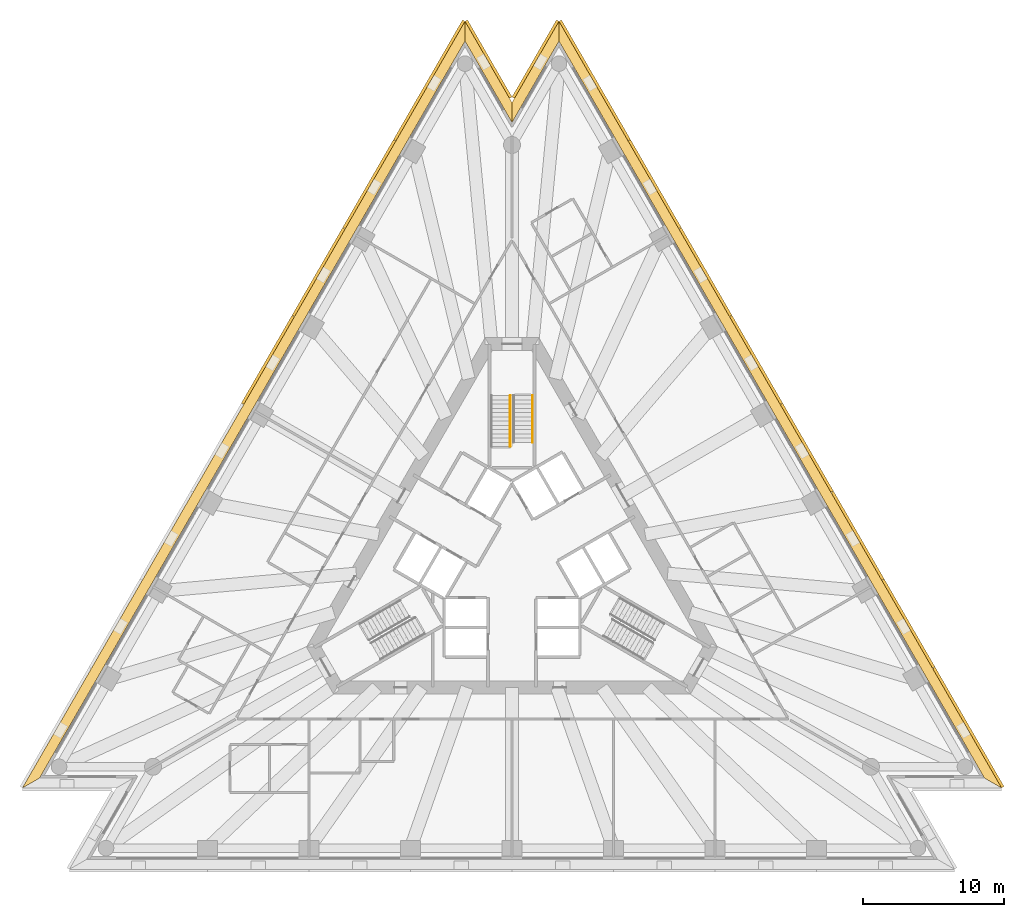
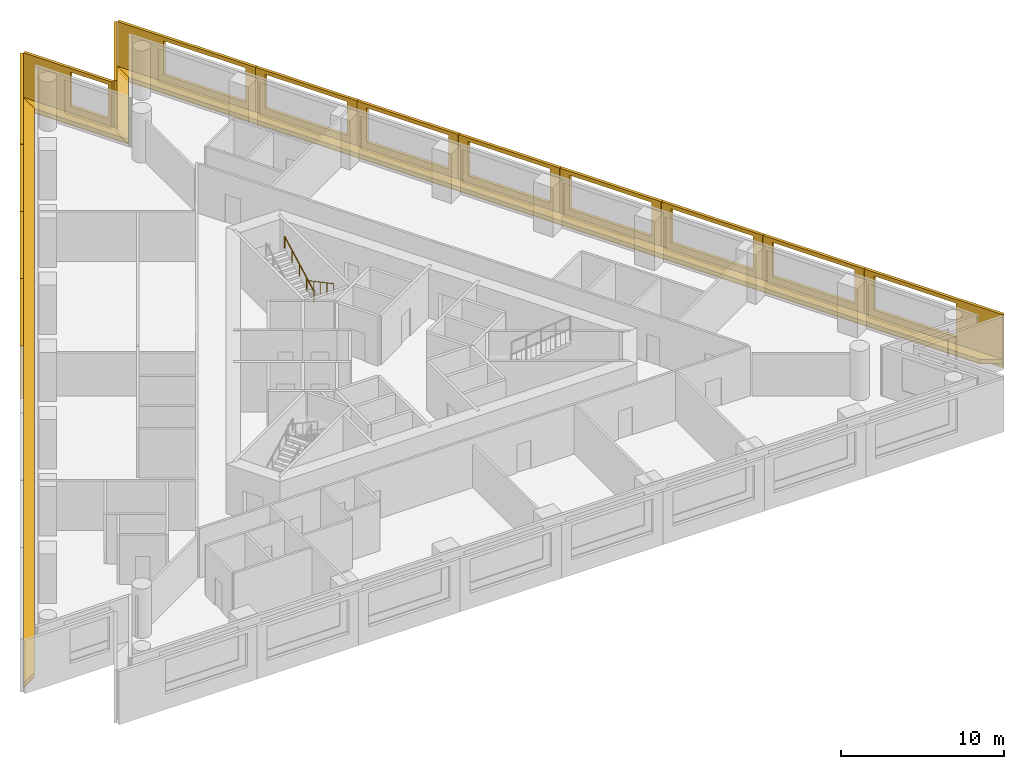
# One storey, part 11 of 11: 18 shading devices, 4 coverings, 2 railings, 1 element without a shape of its own.
"""IFC4 building model written with IfcOpenShell, lengths in metres."""

import ifcopenshell
import ifcopenshell.guid

model = None  # the IFC model being written
_history = None  # IfcOwnerHistory: only IFC2X3 demands one
_inside = {}  # id of a spatial element -> (the spatial element, [elements in it])
_under = {}  # id of a project, library or spatial element -> (it, [spatial elements below it])
_declared = {}  # id of a project -> (the project, [libraries it declares])
_typed = {}  # id of a type object -> (the type object, [elements of that type])
_made_of = {}  # id of a material, layer set ... -> (it, [elements and type objects made of it])


def new_model(schema):
    """Start an empty IFC model of exactly this schema.

    Asked for "IFC4X3", IfcOpenShell would pick the latest addendum, in which some entities
    have other attributes; the version numbers below select the first issue.
    IFC2X3 requires an IfcOwnerHistory on every rooted entity: one is made here for all.
    """
    global model, _history
    if schema == "IFC4X3":
        model = ifcopenshell.file(schema_version=(4, 3, 0, 0))
    else:
        model = ifcopenshell.file(schema=schema)
    _inside.clear()
    _under.clear()
    _declared.clear()
    _typed.clear()
    _made_of.clear()
    _history = None
    if model.schema == "IFC2X3":
        org = make("IfcOrganization", Name="unknown")
        user = make(
            "IfcPersonAndOrganization",
            ThePerson=make("IfcPerson", FamilyName="unknown"),
            TheOrganization=org,
        )
        app = make(
            "IfcApplication",
            ApplicationDeveloper=org,
            Version="unknown",
            ApplicationFullName="unknown",
            ApplicationIdentifier="unknown",
        )
        _history = make(
            "IfcOwnerHistory",
            OwningUser=user,
            OwningApplication=app,
            ChangeAction="ADDED",
            CreationDate=0,
        )
    return model


def make(cls, **values):
    """One entity of the class cls with the attributes given. An attribute that is None is left unset."""
    return model.create_entity(
        cls, **{name: value for name, value in values.items() if value is not None}
    )


def rooted(cls, **values):
    """An entity with a GlobalId (a new one), such as an element, a storey or a relation."""
    return make(cls, GlobalId=ifcopenshell.guid.new(), OwnerHistory=_history, **values)


def si_unit(unit_type, name, prefix=None):
    """IfcSIUnit, for example si_unit("LENGTHUNIT", "METRE", prefix="MILLI")."""
    return make("IfcSIUnit", UnitType=unit_type, Prefix=prefix, Name=name)


def assignment(units):
    """IfcUnitAssignment: the units of a project."""
    return None if units is None else make("IfcUnitAssignment", Units=units)


def point(xyz):
    """IfcCartesianPoint."""
    return None if xyz is None else make("IfcCartesianPoint", Coordinates=xyz)


def direction(xyz):
    """IfcDirection."""
    return None if xyz is None else make("IfcDirection", DirectionRatios=xyz)


def frame(location, z_axis=None, x_axis=None):
    """IfcAxis2Placement3D, a coordinate frame: its origin and axes. An axis left out is left unset."""
    return make(
        "IfcAxis2Placement3D",
        Location=point(location),
        Axis=direction(z_axis),
        RefDirection=direction(x_axis),
    )


def frame_2d(location, x_axis=None):
    """IfcAxis2Placement2D, a coordinate frame in the plane: its origin and x axis."""
    return make(
        "IfcAxis2Placement2D", Location=point(location), RefDirection=direction(x_axis)
    )


def origin():
    """The frame at (0, 0, 0) with its axes left unset."""
    return frame((0.0, 0.0, 0.0))


def origin_2d():
    """The frame at (0, 0) in the plane with its x axis left unset."""
    return frame_2d((0.0, 0.0))


def place(relative_to, where):
    """IfcLocalPlacement: puts the frame where relative to a parent placement (None: the world)."""
    return make(
        "IfcLocalPlacement", PlacementRelTo=relative_to, RelativePlacement=where
    )


def context(
    kind, dimensions, precision=None, world=None, true_north=None, identifier=None
):
    """IfcGeometricRepresentationContext, for example the 3D "Model" context."""
    return make(
        "IfcGeometricRepresentationContext",
        ContextIdentifier=identifier,
        ContextType=kind,
        CoordinateSpaceDimension=dimensions,
        Precision=precision,
        WorldCoordinateSystem=world,
        TrueNorth=true_north,
    )


def subcontext(parent, identifier, kind, view, scale=None):
    """IfcGeometricRepresentationSubContext, for example "Body" below "Model"."""
    return make(
        "IfcGeometricRepresentationSubContext",
        ContextIdentifier=identifier,
        ContextType=kind,
        ParentContext=parent,
        TargetScale=scale,
        TargetView=view,
    )


def project(units=None, contexts=None):
    """IfcProject with its units and contexts."""
    return rooted(
        "IfcProject",
        Name="project",
        RepresentationContexts=contexts,
        UnitsInContext=assignment(units),
    )


def spatial(cls, under=None, at=None, **own):
    """A site, building, storey or space (cls), placed at a placement, below another one or the project."""
    s = rooted(cls, ObjectPlacement=at, **own)
    if under is not None:
        _under.setdefault(under.id(), (under, []))[1].append(s)
    return s


def polyline(points):
    """IfcPolyline through the points."""
    return make("IfcPolyline", Points=[point(p) for p in points])


def profile(cls, at=None, kind="AREA", **sizes):
    """A parametric profile (cls). Its sizes go by their IFC names, for example OverallWidth=200.0."""
    return make(cls, ProfileType=kind, Position=at, **sizes)


def circle(**sizes):
    """IfcCircleProfileDef."""
    return profile("IfcCircleProfileDef", **sizes)


def outline(outer, holes=None, kind="AREA"):
    """IfcArbitraryClosedProfileDef: a profile drawn as a closed curve; with holes, ...WithVoids."""
    if holes is None:
        return make("IfcArbitraryClosedProfileDef", ProfileType=kind, OuterCurve=outer)
    return make(
        "IfcArbitraryProfileDefWithVoids",
        ProfileType=kind,
        OuterCurve=outer,
        InnerCurves=holes,
    )


def extrude(swept, where, along, depth):
    """IfcExtrudedAreaSolid: the profile swept, set in the frame where, extruded along a direction by depth."""
    return make(
        "IfcExtrudedAreaSolid",
        SweptArea=swept,
        Position=where,
        ExtrudedDirection=direction(along),
        Depth=depth,
    )


def shape(context_of_items, identifier, shape_type, items):
    """IfcShapeRepresentation: the items that make up one representation, for example the "Body"."""
    return make(
        "IfcShapeRepresentation",
        ContextOfItems=context_of_items,
        RepresentationIdentifier=identifier,
        RepresentationType=shape_type,
        Items=items,
    )


def material(Name=None, Category=None):
    """IfcMaterial."""
    return make("IfcMaterial", Name=Name, Category=Category)


def layer(
    of_material, thickness, ventilated=None, Name=None, Category=None, Priority=None
):
    """IfcMaterialLayer: one layer of a wall or slab, of a material (None: an air gap)."""
    return make(
        "IfcMaterialLayer",
        Material=of_material,
        LayerThickness=thickness,
        IsVentilated=ventilated,
        Name=Name,
        Category=Category,
        Priority=Priority,
    )


def layer_set(layers, Name=None):
    """IfcMaterialLayerSet."""
    return make("IfcMaterialLayerSet", MaterialLayers=layers, LayerSetName=Name)


def layer_usage(for_layer_set, set_direction, sense, offset, extent=None):
    """IfcMaterialLayerSetUsage: how a layer set lies in its element."""
    return make(
        "IfcMaterialLayerSetUsage",
        ForLayerSet=for_layer_set,
        LayerSetDirection=set_direction,
        DirectionSense=sense,
        OffsetFromReferenceLine=offset,
        ReferenceExtent=extent,
    )


def made_of(thing, what):
    """Note that an element or type object is made of a material, layer set ...; save() writes the relation."""
    if what is not None:
        _made_of.setdefault(what.id(), (what, []))[1].append(thing)
    return thing


def type_object(cls, material=None, **own):
    """A type object (cls), such as IfcWallType, which elements share."""
    return made_of(rooted(cls, **own), material)


def element(
    cls,
    number,
    at=None,
    inside=None,
    cuts=None,
    type_object=None,
    material=None,
    context=None,
    identifier="Body",
    shape_type=None,
    held_by="IfcProductDefinitionShape",
    body=None,
    shapes=None,
    **own,
):
    """One element of the class cls, such as IfcWall. Its Tag is "e" and its number.

    at: its placement. inside: the storey or other place that contains it. cuts: it is an
    opening in that element (IfcRelVoidsElement). A single representation is given by context,
    identifier, shape_type and body (its items); several are given by shapes. held_by: the class
    of the entity that holds the representations. save() writes the other relations.
    """
    e = rooted(cls, Tag="e%d" % number, ObjectPlacement=at, **own)
    if body is not None:
        shapes = [shape(context, identifier, shape_type, body)]
    if shapes is not None:
        e.Representation = make(held_by, Representations=shapes)
    if inside is not None:
        _inside.setdefault(inside.id(), (inside, []))[1].append(e)
    if cuts is not None:
        rooted(
            "IfcRelVoidsElement", RelatingBuildingElement=cuts, RelatedOpeningElement=e
        )
    if type_object is not None:
        _typed.setdefault(type_object.id(), (type_object, []))[1].append(e)
    return made_of(e, material)


def aggregate(whole, parts):
    """IfcRelAggregates: a whole, such as a stair, and the parts it consists of."""
    return rooted("IfcRelAggregates", RelatingObject=whole, RelatedObjects=parts)


def save(model, path):
    """Write the relations noted so far, then the file.

    IfcRelAggregates (storeys below a building ...), IfcRelContainedInSpatialStructure (elements
    in a storey), IfcRelDefinesByType, IfcRelAssociatesMaterial and IfcRelDeclares: one each for
    every whole, place, type object, material and project.
    """
    for whole, parts in _under.values():
        aggregate(whole, parts)
    for where, things in _inside.values():
        rooted(
            "IfcRelContainedInSpatialStructure",
            RelatedElements=things,
            RelatingStructure=where,
        )
    for kind, things in _typed.values():
        rooted("IfcRelDefinesByType", RelatedObjects=things, RelatingType=kind)
    for what, things in _made_of.values():
        rooted("IfcRelAssociatesMaterial", RelatedObjects=things, RelatingMaterial=what)
    for by, libraries in _declared.values():
        rooted("IfcRelDeclares", RelatingContext=by, RelatedDefinitions=libraries)
    model.write(path)


model = new_model("IFC4")

# Units and contexts
model_context = context("Model", 3, precision=1e-05, world=origin(), true_north=direction((0.0, 1.0)))
body_context = subcontext(model_context, "Body", "Model", "MODEL_VIEW")
ifc_project = project(units=[si_unit("LENGTHUNIT", "METRE"), si_unit("AREAUNIT", "SQUARE_METRE"), si_unit("VOLUMEUNIT", "CUBIC_METRE"), si_unit("PLANEANGLEUNIT", "RADIAN"), si_unit("MASSUNIT", "GRAM", prefix="KILO")], contexts=[model_context])

# Site, building, storey
site_placement = place(None, origin())
site = spatial("IfcSite", under=ifc_project, at=site_placement, CompositionType="ELEMENT")
building_placement = place(site_placement, origin())
building = spatial("IfcBuilding", under=site, at=building_placement, Name="Triada Interchange Tower", CompositionType="ELEMENT")
storey_placement = place(building_placement, frame((0.0, 0.0, 91.300048828125)))
storey = spatial("IfcBuildingStorey", under=building, at=storey_placement, Name="L20", CompositionType="ELEMENT", Elevation=91.300048828125)

# Coverings
ifc_material_1 = material(Name="Mineral fire-stop board")
ifc_layer_1 = layer(ifc_material_1, 0.0400390625, Name="Mineral fire-stop board")
ifc_material_2 = material(Name="Intumescent sealant")
ifc_layer_2 = layer(ifc_material_2, 0.010009765625, Name="Intumescent seal")
ifc_layer_set_1 = layer_set([ifc_layer_1, ifc_layer_2], Name="Cavity fire stop")
ifc_layer_usage = layer_usage(ifc_layer_set_1, "AXIS3", "POSITIVE", 0.0)
covering_type = type_object("IfcCoveringType", Name="Cavity fire stop", PredefinedType="INSULATION", material=ifc_layer_set_1)
covering_1_placement = place(storey_placement, origin())
element("IfcCovering", 1, at=covering_1_placement, inside=storey, type_object=covering_type, material=ifc_layer_usage, Name="Cavity fire stop L20 NW", PredefinedType="INSULATION", context=body_context, shape_type="SweptSolid", body=[
    extrude(outline(polyline([(-3.324951171875, 36.698974609375), (-3.324951171875, 38.09912109375), (-34.656982421875, -16.169921875), (-33.445068359375, -15.469970703125), (-3.324951171875, 36.698974609375)])), origin(), (0.0, 0.0, 1.0), 0.050048828125),
])
covering_2_placement = place(storey_placement, origin())
element("IfcCovering", 2, at=covering_2_placement, inside=storey, type_object=covering_type, material=ifc_layer_usage, Name="Cavity fire stop L20 NE", PredefinedType="INSULATION", context=body_context, shape_type="SweptSolid", body=[
    extrude(outline(polyline([(33.445068359375, -15.469970703125), (34.656982421875, -16.169921875), (3.324951171875, 38.09912109375), (3.324951171875, 36.698974609375), (33.445068359375, -15.469970703125)])), origin(), (0.0, 0.0, 1.0), 0.050048828125),
])
covering_3_placement = place(storey_placement, origin())
element("IfcCovering", 3, at=covering_3_placement, inside=storey, type_object=covering_type, material=ifc_layer_usage, Name="Cavity fire stop L20 N-1", PredefinedType="INSULATION", context=body_context, shape_type="SweptSolid", body=[
    extrude(outline(polyline([(3.324951171875, 36.698974609375), (3.324951171875, 38.09912109375), (0.0, 32.340087890625), (0.0, 30.93994140625), (3.324951171875, 36.698974609375)])), origin(), (0.0, 0.0, 1.0), 0.050048828125),
])
covering_4_placement = place(storey_placement, origin())
element("IfcCovering", 4, at=covering_4_placement, inside=storey, type_object=covering_type, material=ifc_layer_usage, Name="Cavity fire stop L20 N-2", PredefinedType="INSULATION", context=body_context, shape_type="SweptSolid", body=[
    extrude(outline(polyline([(0.0, 30.93994140625), (0.0, 32.340087890625), (-3.324951171875, 38.09912109375), (-3.324951171875, 36.698974609375), (0.0, 30.93994140625)])), origin(), (0.0, 0.0, 1.0), 0.050048828125),
])

# Shading devices
ifc_material_3 = material(Name="Aluminium louvre", Category="aluminium")
shading_device_type_1 = type_object("IfcShadingDeviceType", Name="Cavity louvre grille", PredefinedType="JALOUSIE", material=ifc_material_3)
shading_device_1_placement = place(storey_placement, frame((0.0, 0.0, 0.050048828125)))
element("IfcShadingDevice", 5, at=shading_device_1_placement, inside=storey, type_object=shading_device_type_1, Name="Cavity louvre grille L20 NW", PredefinedType="JALOUSIE", context=body_context, shape_type="SweptSolid", body=[
    extrude(outline(polyline([(-3.324951171875, 36.698974609375), (-3.324951171875, 38.09912109375), (-34.656982421875, -16.169921875), (-33.445068359375, -15.469970703125), (-3.324951171875, 36.698974609375)])), origin(), (0.0, 0.0, 1.0), 0.2998046875),
])
shading_device_2_placement = place(storey_placement, frame((0.0, 0.0, 0.050048828125)))
element("IfcShadingDevice", 6, at=shading_device_2_placement, inside=storey, type_object=shading_device_type_1, Name="Cavity louvre grille L20 NE", PredefinedType="JALOUSIE", context=body_context, shape_type="SweptSolid", body=[
    extrude(outline(polyline([(33.445068359375, -15.469970703125), (34.656982421875, -16.169921875), (3.324951171875, 38.09912109375), (3.324951171875, 36.698974609375), (33.445068359375, -15.469970703125)])), origin(), (0.0, 0.0, 1.0), 0.2998046875),
])
shading_device_3_placement = place(storey_placement, frame((0.0, 0.0, 0.050048828125)))
element("IfcShadingDevice", 7, at=shading_device_3_placement, inside=storey, type_object=shading_device_type_1, Name="Cavity louvre grille L20 N-1", PredefinedType="JALOUSIE", context=body_context, shape_type="SweptSolid", body=[
    extrude(outline(polyline([(3.324951171875, 36.698974609375), (3.324951171875, 38.09912109375), (0.0, 32.340087890625), (0.0, 30.93994140625), (3.324951171875, 36.698974609375)])), origin(), (0.0, 0.0, 1.0), 0.2998046875),
])
shading_device_4_placement = place(storey_placement, frame((0.0, 0.0, 0.050048828125)))
element("IfcShadingDevice", 8, at=shading_device_4_placement, inside=storey, type_object=shading_device_type_1, Name="Cavity louvre grille L20 N-2", PredefinedType="JALOUSIE", context=body_context, shape_type="SweptSolid", body=[
    extrude(outline(polyline([(0.0, 30.93994140625), (0.0, 32.340087890625), (-3.324951171875, 38.09912109375), (-3.324951171875, 36.698974609375), (0.0, 30.93994140625)])), origin(), (0.0, 0.0, 1.0), 0.2998046875),
])
ifc_material_4 = material(Name="Concrete C50/60 precast", Category="concrete")
ifc_layer_3 = layer(ifc_material_4, 0.02001953125, Name="Exposed aggregate face")
ifc_layer_4 = layer(ifc_material_4, 0.179931640625, Name="Precast concrete screen")
ifc_layer_set_2 = layer_set([ifc_layer_3, ifc_layer_4], Name="Outer skin screen panel 3980")
shading_device_type_2 = type_object("IfcShadingDeviceType", Name="Outer skin screen panel 3980", PredefinedType="SHUTTER", material=ifc_layer_set_2)
shading_device_5_placement = place(storey_placement, frame((-3.330078125, 38.090087890625, -0.2900390625), z_axis=(0.0, 0.0, 1.0), x_axis=(-0.500034220881, -0.866005645448, 0.0)))
element("IfcShadingDevice", 9, at=shading_device_5_placement, inside=storey, type_object=shading_device_type_2, Name="Outer skin screen panel L20 01", PredefinedType="SHUTTER", context=body_context, shape_type="SweptSolid", body=[
    extrude(outline(polyline([(0.0, 0.0), (9.760986328125, 0.0), (9.760986328125, 3.97998046875), (0.0, 3.97998046875), (0.0, 0.0)]), holes=[polyline([(3.279541015625, 1.139892578125), (3.279541015625, 3.68994140625), (9.07958984375, 3.68994140625), (9.07958984375, 1.139892578125), (3.279541015625, 1.139892578125)])]), frame((0.0, 0.0, 0.0), z_axis=(0.0, -1.0, 0.0), x_axis=(1.0, 0.0, 0.0)), (0.0, 0.0, 1.0), 0.199951171875),
])
shading_device_6_placement = place(storey_placement, frame((-8.220947265625, 29.618896484375, -0.2900390625), z_axis=(0.0, 0.0, 1.0), x_axis=(-0.500024340962, -0.866011350067, 0.0)))
element("IfcShadingDevice", 10, at=shading_device_6_placement, inside=storey, type_object=shading_device_type_2, Name="Outer skin screen panel L20 02", PredefinedType="SHUTTER", context=body_context, shape_type="SweptSolid", body=[
    extrude(outline(polyline([(0.0, 0.0), (7.163818359375, 0.0), (7.163818359375, 3.97998046875), (0.0, 3.97998046875), (0.0, 0.0)]), holes=[polyline([(0.681884765625, 1.139892578125), (0.681884765625, 3.68994140625), (6.48193359375, 3.68994140625), (6.48193359375, 1.139892578125), (0.681884765625, 1.139892578125)])]), frame((0.0, 0.0, 0.0), z_axis=(0.0, -1.0, 0.0), x_axis=(1.0, 0.0, 0.0)), (0.0, 0.0, 1.0), 0.199951171875),
])
shading_device_7_placement = place(storey_placement, frame((-11.81298828125, 23.39794921875, -0.2900390625), z_axis=(0.0, 0.0, 1.0), x_axis=(-0.499922093299, -0.866070378567, 0.0)))
element("IfcShadingDevice", 11, at=shading_device_7_placement, inside=storey, type_object=shading_device_type_2, Name="Outer skin screen panel L20 03", PredefinedType="SHUTTER", context=body_context, shape_type="SweptSolid", body=[
    extrude(outline(polyline([(0.0, 0.0), (7.163330078125, 0.0), (7.163330078125, 3.97998046875), (0.0, 3.97998046875), (0.0, 0.0)]), holes=[polyline([(0.681396484375, 1.139892578125), (0.681396484375, 3.68994140625), (6.4814453125, 3.68994140625), (6.4814453125, 1.139892578125), (0.681396484375, 1.139892578125)])]), frame((0.0, 0.0, 0.0), z_axis=(0.0, -1.0, 0.0), x_axis=(1.0, 0.0, 0.0)), (0.0, 0.0, 1.0), 0.199951171875),
])
shading_device_8_placement = place(storey_placement, frame((-15.404052734375, 17.177001953125, -0.2900390625), z_axis=(0.0, 0.0, 1.0), x_axis=(-0.500009583697, -0.866019870564, 0.0)))
element("IfcShadingDevice", 12, at=shading_device_8_placement, inside=storey, type_object=shading_device_type_2, Name="Outer skin screen panel L20 04", PredefinedType="SHUTTER", context=body_context, shape_type="SweptSolid", body=[
    extrude(outline(polyline([(0.0, 0.0), (7.163818359375, 0.0), (7.163818359375, 3.97998046875), (0.0, 3.97998046875), (0.0, 0.0)]), holes=[polyline([(0.681884765625, 1.139892578125), (0.681884765625, 3.68994140625), (6.48193359375, 3.68994140625), (6.48193359375, 1.139892578125), (0.681884765625, 1.139892578125)])]), frame((0.0, 0.0, 0.0), z_axis=(0.0, -1.0, 0.0), x_axis=(1.0, 0.0, 0.0)), (0.0, 0.0, 1.0), 0.199951171875),
])
shading_device_9_placement = place(storey_placement, frame((34.652099609375, -16.160888671875, -0.2900390625), z_axis=(0.0, 0.0, 1.0), x_axis=(-0.500020487159, 0.866013575194, 0.0)))
element("IfcShadingDevice", 13, at=shading_device_9_placement, inside=storey, type_object=shading_device_type_2, Name="Outer skin screen panel L20 21", PredefinedType="SHUTTER", context=body_context, shape_type="SweptSolid", body=[
    extrude(outline(polyline([(0.0, 0.0), (9.76171875, 0.0), (9.76171875, 3.97998046875), (0.0, 3.97998046875), (0.0, 0.0)]), holes=[polyline([(3.279296875, 1.139892578125), (3.279296875, 3.68994140625), (9.079345703125, 3.68994140625), (9.079345703125, 1.139892578125), (3.279296875, 1.139892578125)])]), frame((0.0, 0.0, 0.0), z_axis=(0.0, -1.0, 0.0), x_axis=(1.0, 0.0, 0.0)), (0.0, 0.0, 1.0), 0.199951171875),
])
shading_device_10_placement = place(storey_placement, frame((29.760986328125, -7.68994140625, -0.2900390625), z_axis=(0.0, 0.0, 1.0), x_axis=(-0.499922093299, 0.866070378567, 0.0)))
element("IfcShadingDevice", 14, at=shading_device_10_placement, inside=storey, type_object=shading_device_type_2, Name="Outer skin screen panel L20 22", PredefinedType="SHUTTER", context=body_context, shape_type="SweptSolid", body=[
    extrude(outline(polyline([(0.0, 0.0), (7.163330078125, 0.0), (7.163330078125, 3.97998046875), (0.0, 3.97998046875), (0.0, 0.0)]), holes=[polyline([(0.681640625, 1.139892578125), (0.681640625, 3.68994140625), (6.481689453125, 3.68994140625), (6.481689453125, 1.139892578125), (0.681640625, 1.139892578125)])]), frame((0.0, 0.0, 0.0), z_axis=(0.0, -1.0, 0.0), x_axis=(1.0, 0.0, 0.0)), (0.0, 0.0, 1.0), 0.199951171875),
])
shading_device_11_placement = place(storey_placement, frame((26.169921875, -1.468994140625, -0.2900390625), z_axis=(0.0, 0.0, 1.0), x_axis=(-0.500009583697, 0.866019870564, 0.0)))
element("IfcShadingDevice", 15, at=shading_device_11_placement, inside=storey, type_object=shading_device_type_2, Name="Outer skin screen panel L20 23", PredefinedType="SHUTTER", context=body_context, shape_type="SweptSolid", body=[
    extrude(outline(polyline([(0.0, 0.0), (7.163818359375, 0.0), (7.163818359375, 3.97998046875), (0.0, 3.97998046875), (0.0, 0.0)]), holes=[polyline([(0.68212890625, 1.139892578125), (0.68212890625, 3.68994140625), (6.482177734375, 3.68994140625), (6.482177734375, 1.139892578125), (0.68212890625, 1.139892578125)])]), frame((0.0, 0.0, 0.0), z_axis=(0.0, -1.0, 0.0), x_axis=(1.0, 0.0, 0.0)), (0.0, 0.0, 1.0), 0.199951171875),
])
shading_device_12_placement = place(storey_placement, frame((22.577880859375, 4.751953125, -0.2900390625), z_axis=(0.0, 0.0, 1.0), x_axis=(-0.499984023993, 0.86603462734, 0.0)))
element("IfcShadingDevice", 16, at=shading_device_12_placement, inside=storey, type_object=shading_device_type_2, Name="Outer skin screen panel L20 24", PredefinedType="SHUTTER", context=body_context, shape_type="SweptSolid", body=[
    extrude(outline(polyline([(0.0, 0.0), (7.163818359375, 0.0), (7.163818359375, 3.97998046875), (0.0, 3.97998046875), (0.0, 0.0)]), holes=[polyline([(0.681640625, 1.139892578125), (0.681640625, 3.68994140625), (6.481689453125, 3.68994140625), (6.481689453125, 1.139892578125), (0.681640625, 1.139892578125)])]), frame((0.0, 0.0, 0.0), z_axis=(0.0, -1.0, 0.0), x_axis=(1.0, 0.0, 0.0)), (0.0, 0.0, 1.0), 0.199951171875),
])
shading_device_13_placement = place(storey_placement, frame((18.986083984375, 10.972900390625, -0.2900390625), z_axis=(0.0, 0.0, 1.0), x_axis=(-0.500009583697, 0.866019870564, 0.0)))
element("IfcShadingDevice", 17, at=shading_device_13_placement, inside=storey, type_object=shading_device_type_2, Name="Outer skin screen panel L20 25", PredefinedType="SHUTTER", context=body_context, shape_type="SweptSolid", body=[
    extrude(outline(polyline([(0.0, 0.0), (7.163818359375, 0.0), (7.163818359375, 3.97998046875), (0.0, 3.97998046875), (0.0, 0.0)]), holes=[polyline([(0.68212890625, 1.139892578125), (0.68212890625, 3.68994140625), (6.482177734375, 3.68994140625), (6.482177734375, 1.139892578125), (0.68212890625, 1.139892578125)])]), frame((0.0, 0.0, 0.0), z_axis=(0.0, -1.0, 0.0), x_axis=(1.0, 0.0, 0.0)), (0.0, 0.0, 1.0), 0.199951171875),
])
shading_device_14_placement = place(storey_placement, frame((15.39404296875, 17.194091796875, -0.2900390625), z_axis=(0.0, 0.0, 1.0), x_axis=(-0.499922093299, 0.866070378567, 0.0)))
element("IfcShadingDevice", 18, at=shading_device_14_placement, inside=storey, type_object=shading_device_type_2, Name="Outer skin screen panel L20 26", PredefinedType="SHUTTER", context=body_context, shape_type="SweptSolid", body=[
    extrude(outline(polyline([(0.0, 0.0), (7.163330078125, 0.0), (7.163330078125, 3.97998046875), (0.0, 3.97998046875), (0.0, 0.0)]), holes=[polyline([(0.681640625, 1.139892578125), (0.681640625, 3.68994140625), (6.481689453125, 3.68994140625), (6.481689453125, 1.139892578125), (0.681640625, 1.139892578125)])]), frame((0.0, 0.0, 0.0), z_axis=(0.0, -1.0, 0.0), x_axis=(1.0, 0.0, 0.0)), (0.0, 0.0, 1.0), 0.199951171875),
])
shading_device_15_placement = place(storey_placement, frame((11.802978515625, 23.4150390625, -0.2900390625), z_axis=(0.0, 0.0, 1.0), x_axis=(-0.500024340962, 0.866011350067, 0.0)))
element("IfcShadingDevice", 19, at=shading_device_15_placement, inside=storey, type_object=shading_device_type_2, Name="Outer skin screen panel L20 27", PredefinedType="SHUTTER", context=body_context, shape_type="SweptSolid", body=[
    extrude(outline(polyline([(0.0, 0.0), (7.163818359375, 0.0), (7.163818359375, 3.97998046875), (0.0, 3.97998046875), (0.0, 0.0)]), holes=[polyline([(0.68212890625, 1.139892578125), (0.68212890625, 3.68994140625), (6.482177734375, 3.68994140625), (6.482177734375, 1.139892578125), (0.68212890625, 1.139892578125)])]), frame((0.0, 0.0, 0.0), z_axis=(0.0, -1.0, 0.0), x_axis=(1.0, 0.0, 0.0)), (0.0, 0.0, 1.0), 0.199951171875),
])
shading_device_16_placement = place(storey_placement, frame((8.2109375, 29.636962890625, -0.2900390625), z_axis=(0.0, 0.0, 1.0), x_axis=(-0.500034220881, 0.866005645448, 0.0)))
element("IfcShadingDevice", 20, at=shading_device_16_placement, inside=storey, type_object=shading_device_type_2, Name="Outer skin screen panel L20 28", PredefinedType="SHUTTER", context=body_context, shape_type="SweptSolid", body=[
    extrude(outline(polyline([(0.0, 0.0), (9.760986328125, 0.0), (9.760986328125, 3.97998046875), (0.0, 3.97998046875), (0.0, 0.0)]), holes=[polyline([(0.681396484375, 1.139892578125), (0.681396484375, 3.68994140625), (6.4814453125, 3.68994140625), (6.4814453125, 1.139892578125), (0.681396484375, 1.139892578125)])]), frame((0.0, 0.0, 0.0), z_axis=(0.0, -1.0, 0.0), x_axis=(1.0, 0.0, 0.0)), (0.0, 0.0, 1.0), 0.199951171875),
])
shading_device_17_placement = place(storey_placement, frame((3.320068359375, 38.090087890625, -0.2900390625), z_axis=(0.0, 0.0, 1.0), x_axis=(-0.500075608319, -0.8659817469, 0.0)))
element("IfcShadingDevice", 21, at=shading_device_17_placement, inside=storey, type_object=shading_device_type_2, Name="Outer skin screen panel L20 29", PredefinedType="SHUTTER", context=body_context, shape_type="SweptSolid", body=[
    extrude(outline(polyline([(0.0, 0.0), (6.283203125, 0.0), (6.283203125, 3.97998046875), (0.0, 3.97998046875), (0.0, 0.0)]), holes=[polyline([(3.175537109375, 1.139892578125), (3.175537109375, 3.68994140625), (5.9833984375, 3.68994140625), (5.9833984375, 1.139892578125), (3.175537109375, 1.139892578125)])]), frame((0.0, 0.0, 0.0), z_axis=(0.0, -1.0, 0.0), x_axis=(1.0, 0.0, 0.0)), (0.0, 0.0, 1.0), 0.199951171875),
])
shading_device_18_placement = place(storey_placement, frame((-0.177978515625, 32.64892578125, -0.2900390625), z_axis=(0.0, 0.0, 1.0), x_axis=(-0.500075608319, 0.8659817469, 0.0)))
element("IfcShadingDevice", 22, at=shading_device_18_placement, inside=storey, type_object=shading_device_type_2, Name="Outer skin screen panel L20 30", PredefinedType="SHUTTER", context=body_context, shape_type="SweptSolid", body=[
    extrude(outline(polyline([(0.0, 0.0), (6.283203125, 0.0), (6.283203125, 3.97998046875), (0.0, 3.97998046875), (0.0, 0.0)]), holes=[polyline([(0.300048828125, 1.139892578125), (0.300048828125, 3.68994140625), (2.9580078125, 3.68994140625), (2.9580078125, 1.139892578125), (0.300048828125, 1.139892578125)])]), frame((0.0, 0.0, 0.0), z_axis=(0.0, -1.0, 0.0), x_axis=(1.0, 0.0, 0.0)), (0.0, 0.0, 1.0), 0.199951171875),
])

# Stair, railings
ifc_material_5 = material(Name="Concrete C35/45", Category="concrete")
stair_type = type_object("IfcStairType", Name="HALF TURN STAIR 1400", PredefinedType="HALF_TURN_STAIR", material=ifc_material_5)
stair_placement = place(storey_placement, origin())
stair = element("IfcStair", 23, at=stair_placement, inside=storey, type_object=stair_type, Name="Exit stair S18-1", PredefinedType="HALF_TURN_STAIR")
ifc_material_6 = material(Name="Stainless steel 1.4301", Category="steel")
railing_type = type_object("IfcRailingType", Name="STAIR HANDRAIL 900", PredefinedType="HANDRAIL", material=ifc_material_6)
railing_1_placement = place(storey_placement, frame((1.449951171875, 11.60009765625, 0.159912109375)))
railing_1 = element("IfcRailing", 24, at=railing_1_placement, type_object=railing_type, Name="Handrail S18-1 1W", PredefinedType="HANDRAIL", context=body_context, shape_type="SweptSolid", body=[
    extrude(circle(Radius=0.02392578125, at=origin_2d()), frame((0.0, 0.0, 0.8759765625), z_axis=(0.0, -0.882354748157, 0.47058484719), x_axis=(1.0, 0.0, 0.0)), (0.0, 0.0, 1.0), 3.739990234375),
    extrude(circle(Radius=0.02099609375, at=origin_2d()), origin(), (0.0, 0.0, 1.0), 0.851806640625),
    extrude(circle(Radius=0.02099609375, at=origin_2d()), frame((0.0, -0.824951171875, 0.43994140625)), (0.0, 0.0, 1.0), 0.851806640625),
    extrude(circle(Radius=0.02099609375, at=origin_2d()), frame((0.0, -1.64990234375, 0.8798828125)), (0.0, 0.0, 1.0), 0.851806640625),
    extrude(circle(Radius=0.02099609375, at=origin_2d()), frame((0.0, -2.47509765625, 1.320068359375)), (0.0, 0.0, 1.0), 0.851806640625),
    extrude(circle(Radius=0.02099609375, at=origin_2d()), frame((0.0, -3.300048828125, 1.760009765625)), (0.0, 0.0, 1.0), 0.851806640625),
])
railing_2_placement = place(storey_placement, frame((-0.1201171875, 8.0, 2.079833984375)))
railing_2 = element("IfcRailing", 25, at=railing_2_placement, type_object=railing_type, Name="Handrail S18-1 2C", PredefinedType="HANDRAIL", context=body_context, shape_type="SweptSolid", body=[
    extrude(circle(Radius=0.02392578125, at=origin_2d()), frame((0.0, 0.0, 0.8759765625), z_axis=(0.0, 0.882341346394, 0.470609974867), x_axis=(-1.0, 0.0, 0.0)), (0.0, 0.0, 1.0), 4.080078125),
    extrude(circle(Radius=0.02099609375, at=origin_2d()), origin(), (0.0, 0.0, 1.0), 0.851806640625),
    extrude(circle(Radius=0.02099609375, at=origin_2d()), frame((0.0, 0.89990234375, 0.47998046875)), (0.0, 0.0, 1.0), 0.851806640625),
    extrude(circle(Radius=0.02099609375, at=origin_2d()), frame((0.0, 1.800048828125, 0.9599609375)), (0.0, 0.0, 1.0), 0.851806640625),
    extrude(circle(Radius=0.02099609375, at=origin_2d()), frame((0.0, 2.7001953125, 1.440185546875)), (0.0, 0.0, 1.0), 0.851806640625),
    extrude(circle(Radius=0.02099609375, at=origin_2d()), frame((0.0, 3.60009765625, 1.920166015625)), (0.0, 0.0, 1.0), 0.851806640625),
])
aggregate(stair, [railing_1, railing_2])

save(model, "model.ifc")
